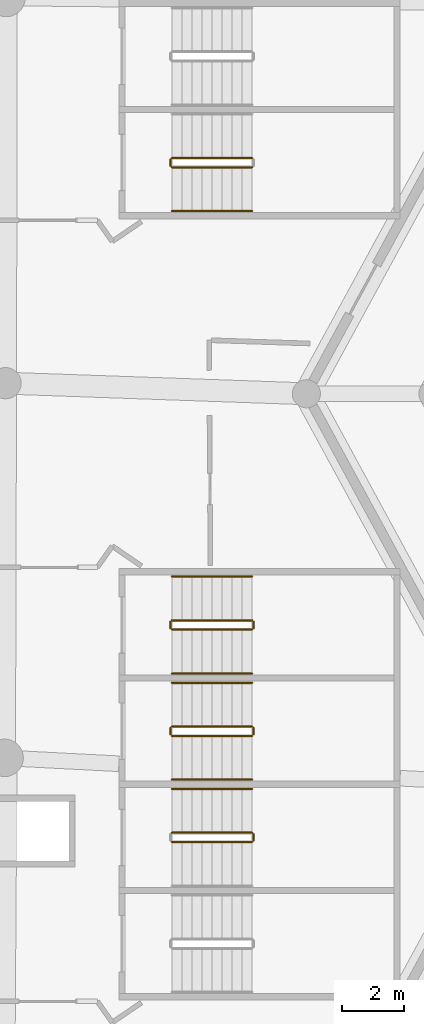
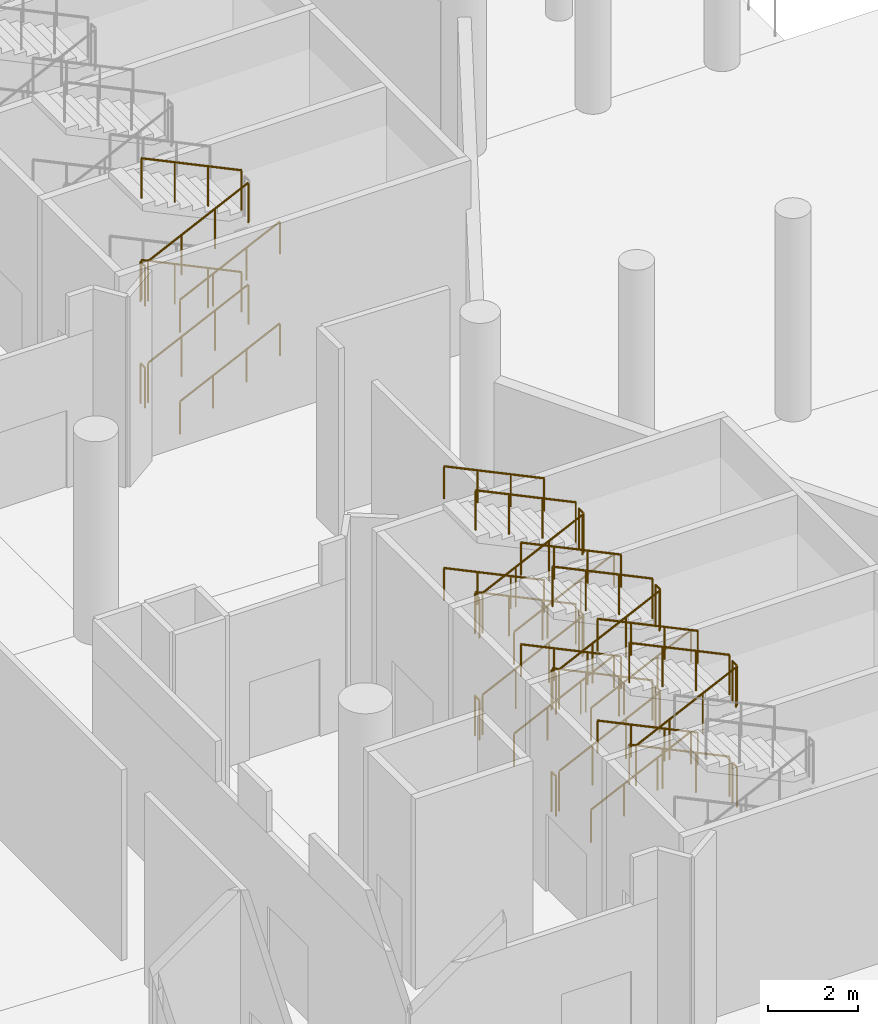
# One storey, part 246 of 271: 39 railings.
"""IFC4 building model written with IfcOpenShell, lengths in metres."""

from ifc_helpers import new_model, si_unit, direction, frame, origin, origin_2d, place, context, subcontext, project, spatial, circle, extrude, material, type_object, element, save


model = new_model("IFC4")

# Units and contexts
model_context = context("Model", 3, precision=1e-05, world=origin(), true_north=direction((0.0, 1.0)))
body_context = subcontext(model_context, "Body", "Model", "MODEL_VIEW")
ifc_project = project(units=[si_unit("LENGTHUNIT", "METRE"), si_unit("AREAUNIT", "SQUARE_METRE"), si_unit("VOLUMEUNIT", "CUBIC_METRE"), si_unit("PLANEANGLEUNIT", "RADIAN"), si_unit("MASSUNIT", "GRAM", prefix="KILO")], contexts=[model_context])

# Site, building, storey
site_placement = place(None, origin())
site = spatial("IfcSite", under=ifc_project, at=site_placement, CompositionType="ELEMENT")
building_placement = place(site_placement, origin())
building = spatial("IfcBuilding", under=site, at=building_placement, Name="Meseta Stadium", CompositionType="ELEMENT")
storey_placement = place(building_placement, frame((0.0, 0.0, 6.5)))
storey = spatial("IfcBuildingStorey", under=building, at=storey_placement, Name="L01", CompositionType="ELEMENT", Elevation=6.5)

# Railings
ifc_material_1 = material(Name="Steel S355", Category="steel")
railing_type_1 = type_object("IfcRailingType", Name="Stair guard 1100", PredefinedType="GUARDRAIL", material=ifc_material_1)
railing_1_placement = place(storey_placement, frame((92.909912109375, -33.050048828125, 1.375)))
element("IfcRailing", 1, at=railing_1_placement, inside=storey, type_object=railing_type_1, Name="ST6 L01 guard 2", PredefinedType="GUARDRAIL", context=body_context, shape_type="SweptSolid", body=[
    extrude(circle(Radius=0.02392578125, at=origin_2d()), frame((0.0, 0.0, 1.076171875), z_axis=(0.0, 1.0, 0.0), x_axis=(-1.0, 0.0, 0.0)), (0.0, 0.0, 1.0), 0.199951171875),
    extrude(circle(Radius=0.02099609375, at=origin_2d()), origin(), (0.0, 0.0, 1.0), 1.052001953125),
    extrude(circle(Radius=0.02099609375, at=origin_2d()), frame((0.0, 0.199951171875, 0.0)), (0.0, 0.0, 1.0), 1.052001953125),
])
railing_2_placement = place(storey_placement, frame((92.860107421875, -32.800048828125, 1.52783203125)))
element("IfcRailing", 2, at=railing_2_placement, inside=storey, type_object=railing_type_1, Name="ST6 L01 guard 3", PredefinedType="GUARDRAIL", context=body_context, shape_type="SweptSolid", body=[
    extrude(circle(Radius=0.02392578125, at=origin_2d()), frame((0.0, 0.0, 1.076171875), z_axis=(-0.902436934422, 0.0, 0.430821981091), x_axis=(0.0, -1.0, 0.0)), (0.0, 0.0, 1.0), 2.8369140625),
    extrude(circle(Radius=0.02099609375, at=origin_2d()), origin(), (0.0, 0.0, 1.0), 1.052001953125),
    extrude(circle(Radius=0.02099609375, at=origin_2d()), frame((-0.853271484375, 0.0, 0.407470703125)), (0.0, 0.0, 1.0), 1.052001953125),
    extrude(circle(Radius=0.02099609375, at=origin_2d()), frame((-1.706787109375, 0.0, 0.814697265625)), (0.0, 0.0, 1.0), 1.052001953125),
    extrude(circle(Radius=0.02099609375, at=origin_2d()), frame((-2.56005859375, 0.0, 1.22216796875)), (0.0, 0.0, 1.0), 1.052001953125),
])
railing_3_placement = place(storey_placement, frame((90.300048828125, -33.10009765625, 2.90283203125)))
element("IfcRailing", 3, at=railing_3_placement, inside=storey, type_object=railing_type_1, Name="ST6 L01 guard 5", PredefinedType="GUARDRAIL", context=body_context, shape_type="SweptSolid", body=[
    extrude(circle(Radius=0.02392578125, at=origin_2d()), frame((0.0, 0.0, 1.076171875), z_axis=(0.902436934422, 0.0, 0.430821981091), x_axis=(0.0, 1.0, 0.0)), (0.0, 0.0, 1.0), 2.8369140625),
    extrude(circle(Radius=0.02099609375, at=origin_2d()), origin(), (0.0, 0.0, 1.0), 1.052001953125),
    extrude(circle(Radius=0.02099609375, at=origin_2d()), frame((0.853271484375, 0.0, 0.407470703125)), (0.0, 0.0, 1.0), 1.052001953125),
    extrude(circle(Radius=0.02099609375, at=origin_2d()), frame((1.706787109375, 0.0, 0.814697265625)), (0.0, 0.0, 1.0), 1.052001953125),
    extrude(circle(Radius=0.02099609375, at=origin_2d()), frame((2.56005859375, 0.0, 1.22216796875)), (0.0, 0.0, 1.0), 1.052001953125),
])
railing_4_placement = place(storey_placement, frame((92.909912109375, -33.050048828125, 4.125)))
element("IfcRailing", 4, at=railing_4_placement, inside=storey, type_object=railing_type_1, Name="ST6 L01 guard 6", PredefinedType="GUARDRAIL", context=body_context, shape_type="SweptSolid", body=[
    extrude(circle(Radius=0.02392578125, at=origin_2d()), frame((0.0, 0.0, 1.076171875), z_axis=(0.0, 1.0, 0.0), x_axis=(-1.0, 0.0, 0.0)), (0.0, 0.0, 1.0), 0.199951171875),
    extrude(circle(Radius=0.02099609375, at=origin_2d()), origin(), (0.0, 0.0, 1.0), 1.052001953125),
    extrude(circle(Radius=0.02099609375, at=origin_2d()), frame((0.0, 0.199951171875, 0.0)), (0.0, 0.0, 1.0), 1.052001953125),
])
railing_5_placement = place(storey_placement, frame((92.860107421875, -32.800048828125, 4.27783203125)))
element("IfcRailing", 5, at=railing_5_placement, inside=storey, type_object=railing_type_1, Name="ST6 L01 guard 7", PredefinedType="GUARDRAIL", context=body_context, shape_type="SweptSolid", body=[
    extrude(circle(Radius=0.02392578125, at=origin_2d()), frame((0.0, 0.0, 1.076171875), z_axis=(-0.902436934422, 0.0, 0.430821981091), x_axis=(0.0, -1.0, 0.0)), (0.0, 0.0, 1.0), 2.8369140625),
    extrude(circle(Radius=0.02099609375, at=origin_2d()), origin(), (0.0, 0.0, 1.0), 1.052001953125),
    extrude(circle(Radius=0.02099609375, at=origin_2d()), frame((-0.853271484375, 0.0, 0.407470703125)), (0.0, 0.0, 1.0), 1.052001953125),
    extrude(circle(Radius=0.02099609375, at=origin_2d()), frame((-1.706787109375, 0.0, 0.814697265625)), (0.0, 0.0, 1.0), 1.052001953125),
    extrude(circle(Radius=0.02099609375, at=origin_2d()), frame((-2.56005859375, 0.0, 1.22216796875)), (0.0, 0.0, 1.0), 1.052001953125),
])
railing_6_placement = place(storey_placement, frame((90.300048828125, -29.699951171875, 0.15283203125)))
element("IfcRailing", 6, at=railing_6_placement, inside=storey, type_object=railing_type_1, Name="ST7 L01 guard 1", PredefinedType="GUARDRAIL", context=body_context, shape_type="SweptSolid", body=[
    extrude(circle(Radius=0.02392578125, at=origin_2d()), frame((0.0, 0.0, 1.076171875), z_axis=(0.902436934422, 0.0, 0.430821981091), x_axis=(0.0, 1.0, 0.0)), (0.0, 0.0, 1.0), 2.8369140625),
    extrude(circle(Radius=0.02099609375, at=origin_2d()), origin(), (0.0, 0.0, 1.0), 1.052001953125),
    extrude(circle(Radius=0.02099609375, at=origin_2d()), frame((0.853271484375, 0.0, 0.407470703125)), (0.0, 0.0, 1.0), 1.052001953125),
    extrude(circle(Radius=0.02099609375, at=origin_2d()), frame((1.706787109375, 0.0, 0.814697265625)), (0.0, 0.0, 1.0), 1.052001953125),
    extrude(circle(Radius=0.02099609375, at=origin_2d()), frame((2.56005859375, 0.0, 1.22216796875)), (0.0, 0.0, 1.0), 1.052001953125),
])
railing_7_placement = place(storey_placement, frame((92.909912109375, -29.64990234375, 1.375)))
element("IfcRailing", 7, at=railing_7_placement, inside=storey, type_object=railing_type_1, Name="ST7 L01 guard 2", PredefinedType="GUARDRAIL", context=body_context, shape_type="SweptSolid", body=[
    extrude(circle(Radius=0.02392578125, at=origin_2d()), frame((0.0, 0.0, 1.076171875), z_axis=(0.0, 1.0, 0.0), x_axis=(-1.0, 0.0, 0.0)), (0.0, 0.0, 1.0), 0.199951171875),
    extrude(circle(Radius=0.02099609375, at=origin_2d()), origin(), (0.0, 0.0, 1.0), 1.052001953125),
    extrude(circle(Radius=0.02099609375, at=origin_2d()), frame((0.0, 0.199951171875, 0.0)), (0.0, 0.0, 1.0), 1.052001953125),
])
railing_8_placement = place(storey_placement, frame((92.860107421875, -29.39990234375, 1.52783203125)))
element("IfcRailing", 8, at=railing_8_placement, inside=storey, type_object=railing_type_1, Name="ST7 L01 guard 3", PredefinedType="GUARDRAIL", context=body_context, shape_type="SweptSolid", body=[
    extrude(circle(Radius=0.02392578125, at=origin_2d()), frame((0.0, 0.0, 1.076171875), z_axis=(-0.902436934422, 0.0, 0.430821981091), x_axis=(0.0, -1.0, 0.0)), (0.0, 0.0, 1.0), 2.8369140625),
    extrude(circle(Radius=0.02099609375, at=origin_2d()), origin(), (0.0, 0.0, 1.0), 1.052001953125),
    extrude(circle(Radius=0.02099609375, at=origin_2d()), frame((-0.853271484375, 0.0, 0.407470703125)), (0.0, 0.0, 1.0), 1.052001953125),
    extrude(circle(Radius=0.02099609375, at=origin_2d()), frame((-1.706787109375, 0.0, 0.814697265625)), (0.0, 0.0, 1.0), 1.052001953125),
    extrude(circle(Radius=0.02099609375, at=origin_2d()), frame((-2.56005859375, 0.0, 1.22216796875)), (0.0, 0.0, 1.0), 1.052001953125),
])
railing_9_placement = place(storey_placement, frame((90.25, -29.64990234375, 2.75)))
element("IfcRailing", 9, at=railing_9_placement, inside=storey, type_object=railing_type_1, Name="ST7 L01 guard 4", PredefinedType="GUARDRAIL", context=body_context, shape_type="SweptSolid", body=[
    extrude(circle(Radius=0.02392578125, at=origin_2d()), frame((0.0, 0.0, 1.076171875), z_axis=(0.0, 1.0, 0.0), x_axis=(-1.0, 0.0, 0.0)), (0.0, 0.0, 1.0), 0.199951171875),
    extrude(circle(Radius=0.02099609375, at=origin_2d()), origin(), (0.0, 0.0, 1.0), 1.052001953125),
    extrude(circle(Radius=0.02099609375, at=origin_2d()), frame((0.0, 0.199951171875, 0.0)), (0.0, 0.0, 1.0), 1.052001953125),
])
railing_10_placement = place(storey_placement, frame((90.300048828125, -29.699951171875, 2.90283203125)))
element("IfcRailing", 10, at=railing_10_placement, inside=storey, type_object=railing_type_1, Name="ST7 L01 guard 5", PredefinedType="GUARDRAIL", context=body_context, shape_type="SweptSolid", body=[
    extrude(circle(Radius=0.02392578125, at=origin_2d()), frame((0.0, 0.0, 1.076171875), z_axis=(0.902436934422, 0.0, 0.430821981091), x_axis=(0.0, 1.0, 0.0)), (0.0, 0.0, 1.0), 2.8369140625),
    extrude(circle(Radius=0.02099609375, at=origin_2d()), origin(), (0.0, 0.0, 1.0), 1.052001953125),
    extrude(circle(Radius=0.02099609375, at=origin_2d()), frame((0.853271484375, 0.0, 0.407470703125)), (0.0, 0.0, 1.0), 1.052001953125),
    extrude(circle(Radius=0.02099609375, at=origin_2d()), frame((1.706787109375, 0.0, 0.814697265625)), (0.0, 0.0, 1.0), 1.052001953125),
    extrude(circle(Radius=0.02099609375, at=origin_2d()), frame((2.56005859375, 0.0, 1.22216796875)), (0.0, 0.0, 1.0), 1.052001953125),
])
railing_11_placement = place(storey_placement, frame((92.909912109375, -29.64990234375, 4.125)))
element("IfcRailing", 11, at=railing_11_placement, inside=storey, type_object=railing_type_1, Name="ST7 L01 guard 6", PredefinedType="GUARDRAIL", context=body_context, shape_type="SweptSolid", body=[
    extrude(circle(Radius=0.02392578125, at=origin_2d()), frame((0.0, 0.0, 1.076171875), z_axis=(0.0, 1.0, 0.0), x_axis=(-1.0, 0.0, 0.0)), (0.0, 0.0, 1.0), 0.199951171875),
    extrude(circle(Radius=0.02099609375, at=origin_2d()), origin(), (0.0, 0.0, 1.0), 1.052001953125),
    extrude(circle(Radius=0.02099609375, at=origin_2d()), frame((0.0, 0.199951171875, 0.0)), (0.0, 0.0, 1.0), 1.052001953125),
])
railing_12_placement = place(storey_placement, frame((92.860107421875, -29.39990234375, 4.27783203125)))
element("IfcRailing", 12, at=railing_12_placement, inside=storey, type_object=railing_type_1, Name="ST7 L01 guard 7", PredefinedType="GUARDRAIL", context=body_context, shape_type="SweptSolid", body=[
    extrude(circle(Radius=0.02392578125, at=origin_2d()), frame((0.0, 0.0, 1.076171875), z_axis=(-0.902436934422, 0.0, 0.430821981091), x_axis=(0.0, -1.0, 0.0)), (0.0, 0.0, 1.0), 2.8369140625),
    extrude(circle(Radius=0.02099609375, at=origin_2d()), origin(), (0.0, 0.0, 1.0), 1.052001953125),
    extrude(circle(Radius=0.02099609375, at=origin_2d()), frame((-0.853271484375, 0.0, 0.407470703125)), (0.0, 0.0, 1.0), 1.052001953125),
    extrude(circle(Radius=0.02099609375, at=origin_2d()), frame((-1.706787109375, 0.0, 0.814697265625)), (0.0, 0.0, 1.0), 1.052001953125),
    extrude(circle(Radius=0.02099609375, at=origin_2d()), frame((-2.56005859375, 0.0, 1.22216796875)), (0.0, 0.0, 1.0), 1.052001953125),
])
railing_13_placement = place(storey_placement, frame((90.25, -29.64990234375, 0.0)))
element("IfcRailing", 13, at=railing_13_placement, inside=storey, type_object=railing_type_1, Name="ST7 L01 guard 8", PredefinedType="GUARDRAIL", context=body_context, shape_type="SweptSolid", body=[
    extrude(circle(Radius=0.02392578125, at=origin_2d()), frame((0.0, 0.0, 1.076171875), z_axis=(0.0, 1.0, 0.0), x_axis=(-1.0, 0.0, 0.0)), (0.0, 0.0, 1.0), 0.199951171875),
    extrude(circle(Radius=0.02099609375, at=origin_2d()), origin(), (0.0, 0.0, 1.0), 1.052001953125),
    extrude(circle(Radius=0.02099609375, at=origin_2d()), frame((0.0, 0.199951171875, 0.0)), (0.0, 0.0, 1.0), 1.052001953125),
])
railing_14_placement = place(storey_placement, frame((90.300048828125, -26.300048828125, 0.15283203125)))
element("IfcRailing", 14, at=railing_14_placement, inside=storey, type_object=railing_type_1, Name="ST8 L01 guard 1", PredefinedType="GUARDRAIL", context=body_context, shape_type="SweptSolid", body=[
    extrude(circle(Radius=0.02392578125, at=origin_2d()), frame((0.0, 0.0, 1.076171875), z_axis=(0.902436934422, 0.0, 0.430821981091), x_axis=(0.0, 1.0, 0.0)), (0.0, 0.0, 1.0), 2.8369140625),
    extrude(circle(Radius=0.02099609375, at=origin_2d()), origin(), (0.0, 0.0, 1.0), 1.052001953125),
    extrude(circle(Radius=0.02099609375, at=origin_2d()), frame((0.853271484375, 0.0, 0.407470703125)), (0.0, 0.0, 1.0), 1.052001953125),
    extrude(circle(Radius=0.02099609375, at=origin_2d()), frame((1.706787109375, 0.0, 0.814697265625)), (0.0, 0.0, 1.0), 1.052001953125),
    extrude(circle(Radius=0.02099609375, at=origin_2d()), frame((2.56005859375, 0.0, 1.22216796875)), (0.0, 0.0, 1.0), 1.052001953125),
])
railing_15_placement = place(storey_placement, frame((92.909912109375, -26.25, 1.375)))
element("IfcRailing", 15, at=railing_15_placement, inside=storey, type_object=railing_type_1, Name="ST8 L01 guard 2", PredefinedType="GUARDRAIL", context=body_context, shape_type="SweptSolid", body=[
    extrude(circle(Radius=0.02392578125, at=origin_2d()), frame((0.0, 0.0, 1.076171875), z_axis=(0.0, 1.0, 0.0), x_axis=(-1.0, 0.0, 0.0)), (0.0, 0.0, 1.0), 0.199951171875),
    extrude(circle(Radius=0.02099609375, at=origin_2d()), origin(), (0.0, 0.0, 1.0), 1.052001953125),
    extrude(circle(Radius=0.02099609375, at=origin_2d()), frame((0.0, 0.199951171875, 0.0)), (0.0, 0.0, 1.0), 1.052001953125),
])
railing_16_placement = place(storey_placement, frame((92.860107421875, -26.0, 1.52783203125)))
element("IfcRailing", 16, at=railing_16_placement, inside=storey, type_object=railing_type_1, Name="ST8 L01 guard 3", PredefinedType="GUARDRAIL", context=body_context, shape_type="SweptSolid", body=[
    extrude(circle(Radius=0.02392578125, at=origin_2d()), frame((0.0, 0.0, 1.076171875), z_axis=(-0.902436934422, 0.0, 0.430821981091), x_axis=(0.0, -1.0, 0.0)), (0.0, 0.0, 1.0), 2.8369140625),
    extrude(circle(Radius=0.02099609375, at=origin_2d()), origin(), (0.0, 0.0, 1.0), 1.052001953125),
    extrude(circle(Radius=0.02099609375, at=origin_2d()), frame((-0.853271484375, 0.0, 0.407470703125)), (0.0, 0.0, 1.0), 1.052001953125),
    extrude(circle(Radius=0.02099609375, at=origin_2d()), frame((-1.706787109375, 0.0, 0.814697265625)), (0.0, 0.0, 1.0), 1.052001953125),
    extrude(circle(Radius=0.02099609375, at=origin_2d()), frame((-2.56005859375, 0.0, 1.22216796875)), (0.0, 0.0, 1.0), 1.052001953125),
])
railing_17_placement = place(storey_placement, frame((90.25, -26.25, 2.75)))
element("IfcRailing", 17, at=railing_17_placement, inside=storey, type_object=railing_type_1, Name="ST8 L01 guard 4", PredefinedType="GUARDRAIL", context=body_context, shape_type="SweptSolid", body=[
    extrude(circle(Radius=0.02392578125, at=origin_2d()), frame((0.0, 0.0, 1.076171875), z_axis=(0.0, 1.0, 0.0), x_axis=(-1.0, 0.0, 0.0)), (0.0, 0.0, 1.0), 0.199951171875),
    extrude(circle(Radius=0.02099609375, at=origin_2d()), origin(), (0.0, 0.0, 1.0), 1.052001953125),
    extrude(circle(Radius=0.02099609375, at=origin_2d()), frame((0.0, 0.199951171875, 0.0)), (0.0, 0.0, 1.0), 1.052001953125),
])
railing_18_placement = place(storey_placement, frame((90.300048828125, -26.300048828125, 2.90283203125)))
element("IfcRailing", 18, at=railing_18_placement, inside=storey, type_object=railing_type_1, Name="ST8 L01 guard 5", PredefinedType="GUARDRAIL", context=body_context, shape_type="SweptSolid", body=[
    extrude(circle(Radius=0.02392578125, at=origin_2d()), frame((0.0, 0.0, 1.076171875), z_axis=(0.902436934422, 0.0, 0.430821981091), x_axis=(0.0, 1.0, 0.0)), (0.0, 0.0, 1.0), 2.8369140625),
    extrude(circle(Radius=0.02099609375, at=origin_2d()), origin(), (0.0, 0.0, 1.0), 1.052001953125),
    extrude(circle(Radius=0.02099609375, at=origin_2d()), frame((0.853271484375, 0.0, 0.407470703125)), (0.0, 0.0, 1.0), 1.052001953125),
    extrude(circle(Radius=0.02099609375, at=origin_2d()), frame((1.706787109375, 0.0, 0.814697265625)), (0.0, 0.0, 1.0), 1.052001953125),
    extrude(circle(Radius=0.02099609375, at=origin_2d()), frame((2.56005859375, 0.0, 1.22216796875)), (0.0, 0.0, 1.0), 1.052001953125),
])
railing_19_placement = place(storey_placement, frame((92.909912109375, -26.25, 4.125)))
element("IfcRailing", 19, at=railing_19_placement, inside=storey, type_object=railing_type_1, Name="ST8 L01 guard 6", PredefinedType="GUARDRAIL", context=body_context, shape_type="SweptSolid", body=[
    extrude(circle(Radius=0.02392578125, at=origin_2d()), frame((0.0, 0.0, 1.076171875), z_axis=(0.0, 1.0, 0.0), x_axis=(-1.0, 0.0, 0.0)), (0.0, 0.0, 1.0), 0.199951171875),
    extrude(circle(Radius=0.02099609375, at=origin_2d()), origin(), (0.0, 0.0, 1.0), 1.052001953125),
    extrude(circle(Radius=0.02099609375, at=origin_2d()), frame((0.0, 0.199951171875, 0.0)), (0.0, 0.0, 1.0), 1.052001953125),
])
railing_20_placement = place(storey_placement, frame((92.860107421875, -26.0, 4.27783203125)))
element("IfcRailing", 20, at=railing_20_placement, inside=storey, type_object=railing_type_1, Name="ST8 L01 guard 7", PredefinedType="GUARDRAIL", context=body_context, shape_type="SweptSolid", body=[
    extrude(circle(Radius=0.02392578125, at=origin_2d()), frame((0.0, 0.0, 1.076171875), z_axis=(-0.902436934422, 0.0, 0.430821981091), x_axis=(0.0, -1.0, 0.0)), (0.0, 0.0, 1.0), 2.8369140625),
    extrude(circle(Radius=0.02099609375, at=origin_2d()), origin(), (0.0, 0.0, 1.0), 1.052001953125),
    extrude(circle(Radius=0.02099609375, at=origin_2d()), frame((-0.853271484375, 0.0, 0.407470703125)), (0.0, 0.0, 1.0), 1.052001953125),
    extrude(circle(Radius=0.02099609375, at=origin_2d()), frame((-1.706787109375, 0.0, 0.814697265625)), (0.0, 0.0, 1.0), 1.052001953125),
    extrude(circle(Radius=0.02099609375, at=origin_2d()), frame((-2.56005859375, 0.0, 1.22216796875)), (0.0, 0.0, 1.0), 1.052001953125),
])
railing_21_placement = place(storey_placement, frame((90.25, -26.25, 0.0)))
element("IfcRailing", 21, at=railing_21_placement, inside=storey, type_object=railing_type_1, Name="ST8 L01 guard 8", PredefinedType="GUARDRAIL", context=body_context, shape_type="SweptSolid", body=[
    extrude(circle(Radius=0.02392578125, at=origin_2d()), frame((0.0, 0.0, 1.076171875), z_axis=(0.0, 1.0, 0.0), x_axis=(-1.0, 0.0, 0.0)), (0.0, 0.0, 1.0), 0.199951171875),
    extrude(circle(Radius=0.02099609375, at=origin_2d()), origin(), (0.0, 0.0, 1.0), 1.052001953125),
    extrude(circle(Radius=0.02099609375, at=origin_2d()), frame((0.0, 0.199951171875, 0.0)), (0.0, 0.0, 1.0), 1.052001953125),
])
railing_22_placement = place(storey_placement, frame((90.300048828125, -11.5, 0.15283203125)))
element("IfcRailing", 22, at=railing_22_placement, inside=storey, type_object=railing_type_1, Name="ST9 L01 guard 1", PredefinedType="GUARDRAIL", context=body_context, shape_type="SweptSolid", body=[
    extrude(circle(Radius=0.02392578125, at=origin_2d()), frame((0.0, 0.0, 1.076171875), z_axis=(0.902436934422, 0.0, 0.430821981091), x_axis=(0.0, 1.0, 0.0)), (0.0, 0.0, 1.0), 2.8369140625),
    extrude(circle(Radius=0.02099609375, at=origin_2d()), origin(), (0.0, 0.0, 1.0), 1.052001953125),
    extrude(circle(Radius=0.02099609375, at=origin_2d()), frame((0.853271484375, 0.0, 0.407470703125)), (0.0, 0.0, 1.0), 1.052001953125),
    extrude(circle(Radius=0.02099609375, at=origin_2d()), frame((1.706787109375, 0.0, 0.814697265625)), (0.0, 0.0, 1.0), 1.052001953125),
    extrude(circle(Radius=0.02099609375, at=origin_2d()), frame((2.56005859375, 0.0, 1.22216796875)), (0.0, 0.0, 1.0), 1.052001953125),
])
railing_23_placement = place(storey_placement, frame((92.860107421875, -11.199951171875, 1.52783203125)))
element("IfcRailing", 23, at=railing_23_placement, inside=storey, type_object=railing_type_1, Name="ST9 L01 guard 3", PredefinedType="GUARDRAIL", context=body_context, shape_type="SweptSolid", body=[
    extrude(circle(Radius=0.02392578125, at=origin_2d()), frame((0.0, 0.0, 1.076171875), z_axis=(-0.902436934422, 0.0, 0.430821981091), x_axis=(0.0, -1.0, 0.0)), (0.0, 0.0, 1.0), 2.8369140625),
    extrude(circle(Radius=0.02099609375, at=origin_2d()), origin(), (0.0, 0.0, 1.0), 1.052001953125),
    extrude(circle(Radius=0.02099609375, at=origin_2d()), frame((-0.853271484375, 0.0, 0.407470703125)), (0.0, 0.0, 1.0), 1.052001953125),
    extrude(circle(Radius=0.02099609375, at=origin_2d()), frame((-1.706787109375, 0.0, 0.814697265625)), (0.0, 0.0, 1.0), 1.052001953125),
    extrude(circle(Radius=0.02099609375, at=origin_2d()), frame((-2.56005859375, 0.0, 1.22216796875)), (0.0, 0.0, 1.0), 1.052001953125),
])
railing_24_placement = place(storey_placement, frame((90.25, -11.449951171875, 2.75)))
element("IfcRailing", 24, at=railing_24_placement, inside=storey, type_object=railing_type_1, Name="ST9 L01 guard 4", PredefinedType="GUARDRAIL", context=body_context, shape_type="SweptSolid", body=[
    extrude(circle(Radius=0.02392578125, at=origin_2d()), frame((0.0, 0.0, 1.076171875), z_axis=(0.0, 1.0, 0.0), x_axis=(-1.0, 0.0, 0.0)), (0.0, 0.0, 1.0), 0.199951171875),
    extrude(circle(Radius=0.02099609375, at=origin_2d()), origin(), (0.0, 0.0, 1.0), 1.052001953125),
    extrude(circle(Radius=0.02099609375, at=origin_2d()), frame((0.0, 0.199951171875, 0.0)), (0.0, 0.0, 1.0), 1.052001953125),
])
railing_25_placement = place(storey_placement, frame((90.300048828125, -11.5, 2.90283203125)))
element("IfcRailing", 25, at=railing_25_placement, inside=storey, type_object=railing_type_1, Name="ST9 L01 guard 5", PredefinedType="GUARDRAIL", context=body_context, shape_type="SweptSolid", body=[
    extrude(circle(Radius=0.02392578125, at=origin_2d()), frame((0.0, 0.0, 1.076171875), z_axis=(0.902436934422, 0.0, 0.430821981091), x_axis=(0.0, 1.0, 0.0)), (0.0, 0.0, 1.0), 2.8369140625),
    extrude(circle(Radius=0.02099609375, at=origin_2d()), origin(), (0.0, 0.0, 1.0), 1.052001953125),
    extrude(circle(Radius=0.02099609375, at=origin_2d()), frame((0.853271484375, 0.0, 0.407470703125)), (0.0, 0.0, 1.0), 1.052001953125),
    extrude(circle(Radius=0.02099609375, at=origin_2d()), frame((1.706787109375, 0.0, 0.814697265625)), (0.0, 0.0, 1.0), 1.052001953125),
    extrude(circle(Radius=0.02099609375, at=origin_2d()), frame((2.56005859375, 0.0, 1.22216796875)), (0.0, 0.0, 1.0), 1.052001953125),
])
railing_26_placement = place(storey_placement, frame((92.860107421875, -11.199951171875, 4.27783203125)))
element("IfcRailing", 26, at=railing_26_placement, inside=storey, type_object=railing_type_1, Name="ST9 L01 guard 7", PredefinedType="GUARDRAIL", context=body_context, shape_type="SweptSolid", body=[
    extrude(circle(Radius=0.02392578125, at=origin_2d()), frame((0.0, 0.0, 1.076171875), z_axis=(-0.902436934422, 0.0, 0.430821981091), x_axis=(0.0, -1.0, 0.0)), (0.0, 0.0, 1.0), 2.8369140625),
    extrude(circle(Radius=0.02099609375, at=origin_2d()), origin(), (0.0, 0.0, 1.0), 1.052001953125),
    extrude(circle(Radius=0.02099609375, at=origin_2d()), frame((-0.853271484375, 0.0, 0.407470703125)), (0.0, 0.0, 1.0), 1.052001953125),
    extrude(circle(Radius=0.02099609375, at=origin_2d()), frame((-1.706787109375, 0.0, 0.814697265625)), (0.0, 0.0, 1.0), 1.052001953125),
    extrude(circle(Radius=0.02099609375, at=origin_2d()), frame((-2.56005859375, 0.0, 1.22216796875)), (0.0, 0.0, 1.0), 1.052001953125),
])
railing_27_placement = place(storey_placement, frame((90.25, -11.449951171875, 0.0)))
element("IfcRailing", 27, at=railing_27_placement, inside=storey, type_object=railing_type_1, Name="ST9 L01 guard 8", PredefinedType="GUARDRAIL", context=body_context, shape_type="SweptSolid", body=[
    extrude(circle(Radius=0.02392578125, at=origin_2d()), frame((0.0, 0.0, 1.076171875), z_axis=(0.0, 1.0, 0.0), x_axis=(-1.0, 0.0, 0.0)), (0.0, 0.0, 1.0), 0.199951171875),
    extrude(circle(Radius=0.02099609375, at=origin_2d()), origin(), (0.0, 0.0, 1.0), 1.052001953125),
    extrude(circle(Radius=0.02099609375, at=origin_2d()), frame((0.0, 0.199951171875, 0.0)), (0.0, 0.0, 1.0), 1.052001953125),
])
ifc_material_2 = material(Name="Steel S355", Category="steel")
railing_type_2 = type_object("IfcRailingType", Name="Stair handrail 900", PredefinedType="HANDRAIL", material=ifc_material_2)
for number, where, name in (
    (28, (92.860107421875, -31.39990234375, 1.52783203125), "ST6 L01 handrail 2"),
    (29, (92.860107421875, -31.39990234375, 4.27783203125), "ST6 L01 handrail 4"),
):
    element("IfcRailing", number, at=place(storey_placement, frame(where)), inside=storey, type_object=railing_type_2, Name=name, PredefinedType="HANDRAIL", context=body_context, shape_type="SweptSolid", body=[
        extrude(circle(Radius=0.02392578125, at=origin_2d()), frame((0.0, 0.0, 0.8759765625), z_axis=(-0.902436934422, 0.0, 0.430821981091), x_axis=(0.0, -1.0, 0.0)), (0.0, 0.0, 1.0), 2.8369140625),
        extrude(circle(Radius=0.02099609375, at=origin_2d()), origin(), (0.0, 0.0, 1.0), 0.851806640625),
        extrude(circle(Radius=0.02099609375, at=origin_2d()), frame((-0.853271484375, 0.0, 0.407470703125)), (0.0, 0.0, 1.0), 0.851806640625),
        extrude(circle(Radius=0.02099609375, at=origin_2d()), frame((-1.706787109375, 0.0, 0.814697265625)), (0.0, 0.0, 1.0), 0.851806640625),
        extrude(circle(Radius=0.02099609375, at=origin_2d()), frame((-2.56005859375, 0.0, 1.22216796875)), (0.0, 0.0, 1.0), 0.851806640625),
    ])
railing_28_placement = place(storey_placement, frame((90.300048828125, -31.10009765625, 0.15283203125)))
element("IfcRailing", 30, at=railing_28_placement, inside=storey, type_object=railing_type_2, Name="ST7 L01 handrail 1", PredefinedType="HANDRAIL", context=body_context, shape_type="SweptSolid", body=[
    extrude(circle(Radius=0.02392578125, at=origin_2d()), frame((0.0, 0.0, 0.8759765625), z_axis=(0.902436934422, 0.0, 0.430821981091), x_axis=(0.0, 1.0, 0.0)), (0.0, 0.0, 1.0), 2.8369140625),
    extrude(circle(Radius=0.02099609375, at=origin_2d()), origin(), (0.0, 0.0, 1.0), 0.851806640625),
    extrude(circle(Radius=0.02099609375, at=origin_2d()), frame((0.853271484375, 0.0, 0.407470703125)), (0.0, 0.0, 1.0), 0.851806640625),
    extrude(circle(Radius=0.02099609375, at=origin_2d()), frame((1.706787109375, 0.0, 0.814697265625)), (0.0, 0.0, 1.0), 0.851806640625),
    extrude(circle(Radius=0.02099609375, at=origin_2d()), frame((2.56005859375, 0.0, 1.22216796875)), (0.0, 0.0, 1.0), 0.851806640625),
])
railing_29_placement = place(storey_placement, frame((92.860107421875, -28.0, 1.52783203125)))
element("IfcRailing", 31, at=railing_29_placement, inside=storey, type_object=railing_type_2, Name="ST7 L01 handrail 2", PredefinedType="HANDRAIL", context=body_context, shape_type="SweptSolid", body=[
    extrude(circle(Radius=0.02392578125, at=origin_2d()), frame((0.0, 0.0, 0.8759765625), z_axis=(-0.902436934422, 0.0, 0.430821981091), x_axis=(0.0, -1.0, 0.0)), (0.0, 0.0, 1.0), 2.8369140625),
    extrude(circle(Radius=0.02099609375, at=origin_2d()), origin(), (0.0, 0.0, 1.0), 0.851806640625),
    extrude(circle(Radius=0.02099609375, at=origin_2d()), frame((-0.853271484375, 0.0, 0.407470703125)), (0.0, 0.0, 1.0), 0.851806640625),
    extrude(circle(Radius=0.02099609375, at=origin_2d()), frame((-1.706787109375, 0.0, 0.814697265625)), (0.0, 0.0, 1.0), 0.851806640625),
    extrude(circle(Radius=0.02099609375, at=origin_2d()), frame((-2.56005859375, 0.0, 1.22216796875)), (0.0, 0.0, 1.0), 0.851806640625),
])
railing_30_placement = place(storey_placement, frame((90.300048828125, -31.10009765625, 2.90283203125)))
element("IfcRailing", 32, at=railing_30_placement, inside=storey, type_object=railing_type_2, Name="ST7 L01 handrail 3", PredefinedType="HANDRAIL", context=body_context, shape_type="SweptSolid", body=[
    extrude(circle(Radius=0.02392578125, at=origin_2d()), frame((0.0, 0.0, 0.8759765625), z_axis=(0.902436934422, 0.0, 0.430821981091), x_axis=(0.0, 1.0, 0.0)), (0.0, 0.0, 1.0), 2.8369140625),
    extrude(circle(Radius=0.02099609375, at=origin_2d()), origin(), (0.0, 0.0, 1.0), 0.851806640625),
    extrude(circle(Radius=0.02099609375, at=origin_2d()), frame((0.853271484375, 0.0, 0.407470703125)), (0.0, 0.0, 1.0), 0.851806640625),
    extrude(circle(Radius=0.02099609375, at=origin_2d()), frame((1.706787109375, 0.0, 0.814697265625)), (0.0, 0.0, 1.0), 0.851806640625),
    extrude(circle(Radius=0.02099609375, at=origin_2d()), frame((2.56005859375, 0.0, 1.22216796875)), (0.0, 0.0, 1.0), 0.851806640625),
])
railing_31_placement = place(storey_placement, frame((92.860107421875, -28.0, 4.27783203125)))
element("IfcRailing", 33, at=railing_31_placement, inside=storey, type_object=railing_type_2, Name="ST7 L01 handrail 4", PredefinedType="HANDRAIL", context=body_context, shape_type="SweptSolid", body=[
    extrude(circle(Radius=0.02392578125, at=origin_2d()), frame((0.0, 0.0, 0.8759765625), z_axis=(-0.902436934422, 0.0, 0.430821981091), x_axis=(0.0, -1.0, 0.0)), (0.0, 0.0, 1.0), 2.8369140625),
    extrude(circle(Radius=0.02099609375, at=origin_2d()), origin(), (0.0, 0.0, 1.0), 0.851806640625),
    extrude(circle(Radius=0.02099609375, at=origin_2d()), frame((-0.853271484375, 0.0, 0.407470703125)), (0.0, 0.0, 1.0), 0.851806640625),
    extrude(circle(Radius=0.02099609375, at=origin_2d()), frame((-1.706787109375, 0.0, 0.814697265625)), (0.0, 0.0, 1.0), 0.851806640625),
    extrude(circle(Radius=0.02099609375, at=origin_2d()), frame((-2.56005859375, 0.0, 1.22216796875)), (0.0, 0.0, 1.0), 0.851806640625),
])
railing_32_placement = place(storey_placement, frame((90.300048828125, -27.699951171875, 0.15283203125)))
element("IfcRailing", 34, at=railing_32_placement, inside=storey, type_object=railing_type_2, Name="ST8 L01 handrail 1", PredefinedType="HANDRAIL", context=body_context, shape_type="SweptSolid", body=[
    extrude(circle(Radius=0.02392578125, at=origin_2d()), frame((0.0, 0.0, 0.8759765625), z_axis=(0.902436934422, 0.0, 0.430821981091), x_axis=(0.0, 1.0, 0.0)), (0.0, 0.0, 1.0), 2.8369140625),
    extrude(circle(Radius=0.02099609375, at=origin_2d()), origin(), (0.0, 0.0, 1.0), 0.851806640625),
    extrude(circle(Radius=0.02099609375, at=origin_2d()), frame((0.853271484375, 0.0, 0.407470703125)), (0.0, 0.0, 1.0), 0.851806640625),
    extrude(circle(Radius=0.02099609375, at=origin_2d()), frame((1.706787109375, 0.0, 0.814697265625)), (0.0, 0.0, 1.0), 0.851806640625),
    extrude(circle(Radius=0.02099609375, at=origin_2d()), frame((2.56005859375, 0.0, 1.22216796875)), (0.0, 0.0, 1.0), 0.851806640625),
])
railing_33_placement = place(storey_placement, frame((92.860107421875, -24.60009765625, 1.52783203125)))
element("IfcRailing", 35, at=railing_33_placement, inside=storey, type_object=railing_type_2, Name="ST8 L01 handrail 2", PredefinedType="HANDRAIL", context=body_context, shape_type="SweptSolid", body=[
    extrude(circle(Radius=0.02392578125, at=origin_2d()), frame((0.0, 0.0, 0.8759765625), z_axis=(-0.902436934422, 0.0, 0.430821981091), x_axis=(0.0, -1.0, 0.0)), (0.0, 0.0, 1.0), 2.8369140625),
    extrude(circle(Radius=0.02099609375, at=origin_2d()), origin(), (0.0, 0.0, 1.0), 0.851806640625),
    extrude(circle(Radius=0.02099609375, at=origin_2d()), frame((-0.853271484375, 0.0, 0.407470703125)), (0.0, 0.0, 1.0), 0.851806640625),
    extrude(circle(Radius=0.02099609375, at=origin_2d()), frame((-1.706787109375, 0.0, 0.814697265625)), (0.0, 0.0, 1.0), 0.851806640625),
    extrude(circle(Radius=0.02099609375, at=origin_2d()), frame((-2.56005859375, 0.0, 1.22216796875)), (0.0, 0.0, 1.0), 0.851806640625),
])
railing_34_placement = place(storey_placement, frame((90.300048828125, -27.699951171875, 2.90283203125)))
element("IfcRailing", 36, at=railing_34_placement, inside=storey, type_object=railing_type_2, Name="ST8 L01 handrail 3", PredefinedType="HANDRAIL", context=body_context, shape_type="SweptSolid", body=[
    extrude(circle(Radius=0.02392578125, at=origin_2d()), frame((0.0, 0.0, 0.8759765625), z_axis=(0.902436934422, 0.0, 0.430821981091), x_axis=(0.0, 1.0, 0.0)), (0.0, 0.0, 1.0), 2.8369140625),
    extrude(circle(Radius=0.02099609375, at=origin_2d()), origin(), (0.0, 0.0, 1.0), 0.851806640625),
    extrude(circle(Radius=0.02099609375, at=origin_2d()), frame((0.853271484375, 0.0, 0.407470703125)), (0.0, 0.0, 1.0), 0.851806640625),
    extrude(circle(Radius=0.02099609375, at=origin_2d()), frame((1.706787109375, 0.0, 0.814697265625)), (0.0, 0.0, 1.0), 0.851806640625),
    extrude(circle(Radius=0.02099609375, at=origin_2d()), frame((2.56005859375, 0.0, 1.22216796875)), (0.0, 0.0, 1.0), 0.851806640625),
])
railing_35_placement = place(storey_placement, frame((92.860107421875, -24.60009765625, 4.27783203125)))
element("IfcRailing", 37, at=railing_35_placement, inside=storey, type_object=railing_type_2, Name="ST8 L01 handrail 4", PredefinedType="HANDRAIL", context=body_context, shape_type="SweptSolid", body=[
    extrude(circle(Radius=0.02392578125, at=origin_2d()), frame((0.0, 0.0, 0.8759765625), z_axis=(-0.902436934422, 0.0, 0.430821981091), x_axis=(0.0, -1.0, 0.0)), (0.0, 0.0, 1.0), 2.8369140625),
    extrude(circle(Radius=0.02099609375, at=origin_2d()), origin(), (0.0, 0.0, 1.0), 0.851806640625),
    extrude(circle(Radius=0.02099609375, at=origin_2d()), frame((-0.853271484375, 0.0, 0.407470703125)), (0.0, 0.0, 1.0), 0.851806640625),
    extrude(circle(Radius=0.02099609375, at=origin_2d()), frame((-1.706787109375, 0.0, 0.814697265625)), (0.0, 0.0, 1.0), 0.851806640625),
    extrude(circle(Radius=0.02099609375, at=origin_2d()), frame((-2.56005859375, 0.0, 1.22216796875)), (0.0, 0.0, 1.0), 0.851806640625),
])
for number, where, name in (
    (38, (90.300048828125, -12.89990234375, 0.15283203125), "ST9 L01 handrail 1"),
    (39, (90.300048828125, -12.89990234375, 2.90283203125), "ST9 L01 handrail 3"),
):
    element("IfcRailing", number, at=place(storey_placement, frame(where)), inside=storey, type_object=railing_type_2, Name=name, PredefinedType="HANDRAIL", context=body_context, shape_type="SweptSolid", body=[
        extrude(circle(Radius=0.02392578125, at=origin_2d()), frame((0.0, 0.0, 0.8759765625), z_axis=(0.902436934422, 0.0, 0.430821981091), x_axis=(0.0, 1.0, 0.0)), (0.0, 0.0, 1.0), 2.8369140625),
        extrude(circle(Radius=0.02099609375, at=origin_2d()), origin(), (0.0, 0.0, 1.0), 0.851806640625),
        extrude(circle(Radius=0.02099609375, at=origin_2d()), frame((0.853271484375, 0.0, 0.407470703125)), (0.0, 0.0, 1.0), 0.851806640625),
        extrude(circle(Radius=0.02099609375, at=origin_2d()), frame((1.706787109375, 0.0, 0.814697265625)), (0.0, 0.0, 1.0), 0.851806640625),
        extrude(circle(Radius=0.02099609375, at=origin_2d()), frame((2.56005859375, 0.0, 1.22216796875)), (0.0, 0.0, 1.0), 0.851806640625),
    ])

save(model, "model.ifc")
